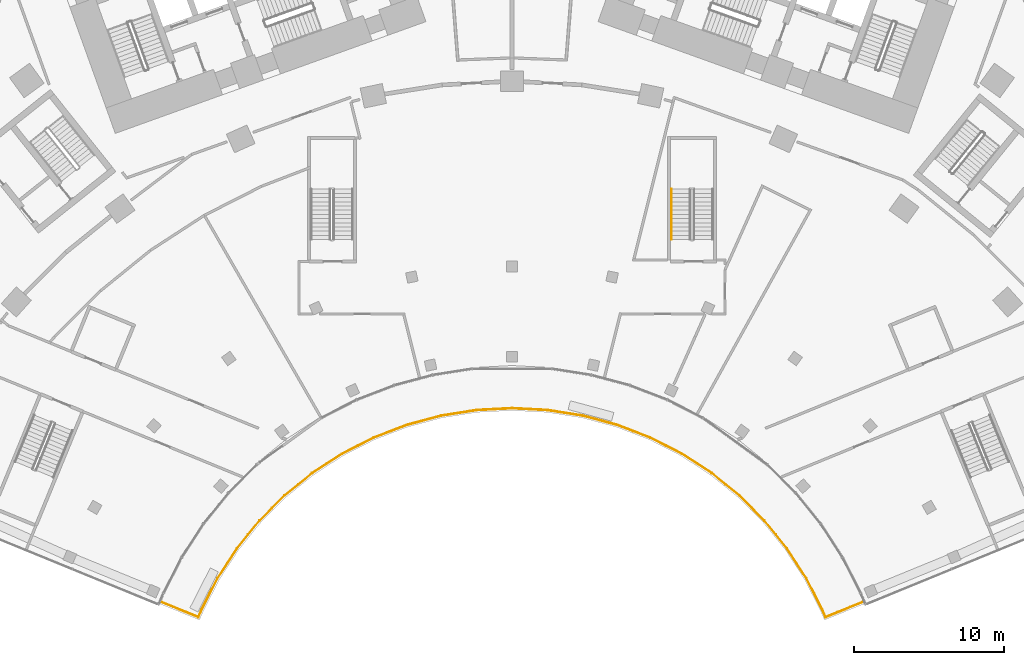
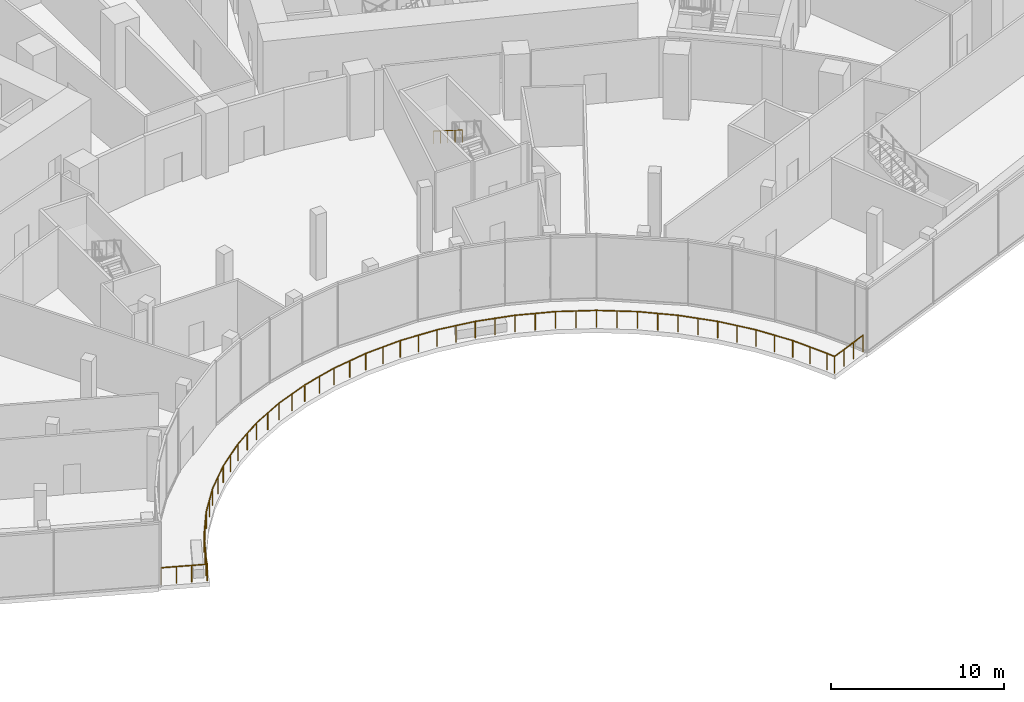
# One storey, part 35 of 39: 2 railings.
"""IFC4 building model written with IfcOpenShell, lengths in metres."""

from ifc_helpers import new_model, si_unit, direction, frame, origin, origin_2d, place, context, subcontext, project, spatial, circle, extrude, material, type_object, element, save


model = new_model("IFC4")

# Units and contexts
model_context = context("Model", 3, precision=1e-05, world=origin(), true_north=direction((0.0, 1.0)))
body_context = subcontext(model_context, "Body", "Model", "MODEL_VIEW")
ifc_project = project(units=[si_unit("LENGTHUNIT", "METRE"), si_unit("AREAUNIT", "SQUARE_METRE"), si_unit("VOLUMEUNIT", "CUBIC_METRE"), si_unit("PLANEANGLEUNIT", "RADIAN"), si_unit("MASSUNIT", "GRAM", prefix="KILO")], contexts=[model_context])

# Site, building, storey
site_placement = place(None, origin())
site = spatial("IfcSite", under=ifc_project, at=site_placement, CompositionType="ELEMENT")
building_placement = place(site_placement, origin())
building = spatial("IfcBuilding", under=site, at=building_placement, Name="Stone Belt Terrace Tower", CompositionType="ELEMENT")
storey_placement = place(building_placement, frame((0.0, 0.0, 16.199951171875)))
storey = spatial("IfcBuildingStorey", under=building, at=storey_placement, Name="L03", CompositionType="ELEMENT", Elevation=16.199951171875)

# Railings
ifc_material_1 = material(Name="Stainless steel handrail", Category="steel")
railing_type_1 = type_object("IfcRailingType", Name="Podium stair handrail", PredefinedType="HANDRAIL", material=ifc_material_1)
railing_1_placement = place(storey_placement, frame((10.625, 37.25, 2.47705078125)))
element("IfcRailing", 1, at=railing_1_placement, inside=storey, type_object=railing_type_1, Name="L03 PS6 stair handrail 2", PredefinedType="HANDRAIL", context=body_context, shape_type="SweptSolid", body=[
    extrude(circle(Radius=0.02392578125, at=origin_2d()), frame((0.0, 0.0, 0.8759765625), z_axis=(0.0, -0.845389635667, 0.534150132366), x_axis=(1.0, 0.0, 0.0)), (0.0, 0.0, 1.0), 3.974609375),
    extrude(circle(Radius=0.02099609375, at=origin_2d()), origin(), (0.0, 0.0, 1.0), 0.851806640625),
    extrude(circle(Radius=0.02099609375, at=origin_2d()), frame((0.0, -0.840087890625, 0.53076171875)), (0.0, 0.0, 1.0), 0.851806640625),
    extrude(circle(Radius=0.02099609375, at=origin_2d()), frame((0.0, -1.68017578125, 1.0615234375)), (0.0, 0.0, 1.0), 0.851806640625),
    extrude(circle(Radius=0.02099609375, at=origin_2d()), frame((0.0, -2.52001953125, 1.59228515625)), (0.0, 0.0, 1.0), 0.851806640625),
    extrude(circle(Radius=0.02099609375, at=origin_2d()), frame((0.0, -3.360107421875, 2.123046875)), (0.0, 0.0, 1.0), 0.851806640625),
])
ifc_material_2 = material(Name="Stainless steel AISI 304", Category="steel")
railing_type_2 = type_object("IfcRailingType", Name="Terrace guard 1200", PredefinedType="GUARDRAIL", material=ifc_material_2)
railing_2_placement = place(storey_placement, frame((-23.397216796875, 9.751708984375, 0.0)))
element("IfcRailing", 2, at=railing_2_placement, inside=storey, type_object=railing_type_2, Name="GUARD L03 1.1", PredefinedType="GUARDRAIL", context=body_context, shape_type="SweptSolid", body=[
    extrude(circle(Radius=0.02490234375, at=origin_2d()), frame((0.0, 0.0, 1.1748046875), z_axis=(0.925300457224, -0.379234839988, 0.0), x_axis=(0.379234839988, 0.925300457224, 0.0)), (0.0, 0.0, 1.0), 2.699951171875),
    extrude(circle(Radius=0.02490234375, at=origin_2d()), frame((2.498291015625, -1.02392578125, 1.1748046875), z_axis=(0.392973868747, 0.919549638944, 0.0), x_axis=(-0.919549638944, 0.392973868747, 0.0)), (0.0, 0.0, 1.0), 0.530029296875),
    extrude(circle(Radius=0.02490234375, at=origin_2d()), frame((2.70654296875, -0.53662109375, 1.1748046875), z_axis=(0.453922692677, 0.891041070363, 0.0), x_axis=(-0.891041070363, 0.453922692677, 0.0)), (0.0, 0.0, 1.0), 2.3681640625),
    extrude(circle(Radius=0.02490234375, at=origin_2d()), frame((3.781494140625, 1.573486328125, 1.1748046875), z_axis=(0.544655300333, 0.8386600049, 0.0), x_axis=(-0.8386600049, 0.544655300333, 0.0)), (0.0, 0.0, 1.0), 2.370849609375),
    extrude(circle(Radius=0.02490234375, at=origin_2d()), frame((5.07275390625, 3.561767578125, 1.1748046875), z_axis=(0.62935521046, 0.777117763963, 0.0), x_axis=(-0.777117763963, 0.62935521046, 0.0)), (0.0, 0.0, 1.0), 2.37109375),
    extrude(circle(Radius=0.02490234375, at=origin_2d()), frame((6.56494140625, 5.404296875, 1.1748046875), z_axis=(0.707106781187, 0.707106781187, 0.0), x_axis=(-0.707106781187, 0.707106781187, 0.0)), (0.0, 0.0, 1.0), 2.37060546875),
    extrude(circle(Radius=0.02490234375, at=origin_2d()), frame((8.2412109375, 7.08056640625, 1.1748046875), z_axis=(0.777117763963, 0.62935521046, 0.0), x_axis=(-0.62935521046, 0.777117763963, 0.0)), (0.0, 0.0, 1.0), 2.37109375),
    extrude(circle(Radius=0.02490234375, at=origin_2d()), frame((10.083740234375, 8.57275390625, 1.1748046875), z_axis=(0.8386600049, 0.544655300333, 0.0), x_axis=(-0.544655300333, 0.8386600049, 0.0)), (0.0, 0.0, 1.0), 2.370849609375),
    extrude(circle(Radius=0.02490234375, at=origin_2d()), frame((12.072021484375, 9.864013671875, 1.1748046875), z_axis=(0.891044997734, 0.453914983244, 0.0), x_axis=(-0.453914983244, 0.891044997734, 0.0)), (0.0, 0.0, 1.0), 2.370849609375),
    extrude(circle(Radius=0.02490234375, at=origin_2d()), frame((14.1845703125, 10.940185546875, 1.1748046875), z_axis=(0.933584262423, 0.358357956456, 0.0), x_axis=(-0.358357956456, 0.933584262423, 0.0)), (0.0, 0.0, 1.0), 2.370849609375),
    extrude(circle(Radius=0.02490234375, at=origin_2d()), frame((16.39794921875, 11.789794921875, 1.1748046875), z_axis=(0.965909436458, 0.258880205038, 0.0), x_axis=(-0.258880205038, 0.965909436458, 0.0)), (0.0, 0.0, 1.0), 2.370849609375),
    extrude(circle(Radius=0.02490234375, at=origin_2d()), frame((18.68798828125, 12.403564453125, 1.1748046875), z_axis=(0.987689377475, 0.156427918297, 0.0), x_axis=(-0.156427918297, 0.987689377475, 0.0)), (0.0, 0.0, 1.0), 2.370849609375),
    extrude(circle(Radius=0.02490234375, at=origin_2d()), frame((21.029541015625, 12.7744140625, 1.1748046875), z_axis=(0.998630883335, 0.05231021744, 0.0), x_axis=(-0.05231021744, 0.998630883335, 0.0)), (0.0, 0.0, 1.0), 2.370849609375),
    extrude(circle(Radius=0.02490234375, at=origin_2d()), frame((23.397216796875, 12.8984375, 1.1748046875), z_axis=(0.998630883335, -0.05231021744, 0.0), x_axis=(0.05231021744, 0.998630883335, 0.0)), (0.0, 0.0, 1.0), 2.370849609375),
    extrude(circle(Radius=0.02490234375, at=origin_2d()), frame((25.764892578125, 12.7744140625, 1.1748046875), z_axis=(0.987689377475, -0.156427918297, 0.0), x_axis=(0.156427918297, 0.987689377475, 0.0)), (0.0, 0.0, 1.0), 2.370849609375),
    extrude(circle(Radius=0.02490234375, at=origin_2d()), frame((28.1064453125, 12.403564453125, 1.1748046875), z_axis=(0.965909436458, -0.258880205038, 0.0), x_axis=(0.258880205038, 0.965909436458, 0.0)), (0.0, 0.0, 1.0), 2.370849609375),
    extrude(circle(Radius=0.02490234375, at=origin_2d()), frame((30.396484375, 11.789794921875, 1.1748046875), z_axis=(0.933584262423, -0.358357956456, 0.0), x_axis=(0.358357956456, 0.933584262423, 0.0)), (0.0, 0.0, 1.0), 2.370849609375),
    extrude(circle(Radius=0.02490234375, at=origin_2d()), frame((32.60986328125, 10.940185546875, 1.1748046875), z_axis=(0.891044997734, -0.453914983244, 0.0), x_axis=(0.453914983244, 0.891044997734, 0.0)), (0.0, 0.0, 1.0), 2.370849609375),
    extrude(circle(Radius=0.02490234375, at=origin_2d()), frame((34.722412109375, 9.864013671875, 1.1748046875), z_axis=(0.8386600049, -0.544655300333, 0.0), x_axis=(0.544655300333, 0.8386600049, 0.0)), (0.0, 0.0, 1.0), 2.370849609375),
    extrude(circle(Radius=0.02490234375, at=origin_2d()), frame((36.710693359375, 8.57275390625, 1.1748046875), z_axis=(0.777117763963, -0.62935521046, 0.0), x_axis=(0.62935521046, 0.777117763963, 0.0)), (0.0, 0.0, 1.0), 2.37109375),
    extrude(circle(Radius=0.02490234375, at=origin_2d()), frame((38.55322265625, 7.08056640625, 1.1748046875), z_axis=(0.707106781187, -0.707106781187, 0.0), x_axis=(0.707106781187, 0.707106781187, 0.0)), (0.0, 0.0, 1.0), 2.37060546875),
    extrude(circle(Radius=0.02490234375, at=origin_2d()), frame((40.2294921875, 5.404296875, 1.1748046875), z_axis=(0.62935521046, -0.777117763963, 0.0), x_axis=(0.777117763963, 0.62935521046, 0.0)), (0.0, 0.0, 1.0), 2.37109375),
    extrude(circle(Radius=0.02490234375, at=origin_2d()), frame((41.7216796875, 3.561767578125, 1.1748046875), z_axis=(0.544655300333, -0.8386600049, 0.0), x_axis=(0.8386600049, 0.544655300333, 0.0)), (0.0, 0.0, 1.0), 2.370849609375),
    extrude(circle(Radius=0.02490234375, at=origin_2d()), frame((43.012939453125, 1.573486328125, 1.1748046875), z_axis=(0.453922692677, -0.891041070363, 0.0), x_axis=(0.891041070363, 0.453922692677, 0.0)), (0.0, 0.0, 1.0), 2.3681640625),
    extrude(circle(Radius=0.02490234375, at=origin_2d()), frame((44.087890625, -0.53662109375, 1.1748046875), z_axis=(0.392973868747, -0.919549638944, 0.0), x_axis=(0.919549638944, 0.392973868747, 0.0)), (0.0, 0.0, 1.0), 0.530029296875),
    extrude(circle(Radius=0.02490234375, at=origin_2d()), frame((44.296142578125, -1.02392578125, 1.1748046875), z_axis=(0.925300457224, 0.379234839988, 0.0), x_axis=(-0.379234839988, 0.925300457224, 0.0)), (0.0, 0.0, 1.0), 2.699951171875),
    extrude(circle(Radius=0.02001953125, at=origin_2d()), origin(), (0.0, 0.0, 1.0), 1.14990234375),
    extrude(circle(Radius=0.02001953125, at=origin_2d()), frame((0.832763671875, -0.34130859375, 0.0)), (0.0, 0.0, 1.0), 1.14990234375),
    extrude(circle(Radius=0.02001953125, at=origin_2d()), frame((1.66552734375, -0.6826171875, 0.0)), (0.0, 0.0, 1.0), 1.14990234375),
    extrude(circle(Radius=0.02001953125, at=origin_2d()), frame((2.498291015625, -1.02392578125, 0.0)), (0.0, 0.0, 1.0), 1.14990234375),
    extrude(circle(Radius=0.02001953125, at=origin_2d()), frame((2.70654296875, -0.53662109375, 0.0)), (0.0, 0.0, 1.0), 1.14990234375),
    extrude(circle(Radius=0.02001953125, at=origin_2d()), frame((3.244140625, 0.5185546875, 0.0)), (0.0, 0.0, 1.0), 1.14990234375),
    extrude(circle(Radius=0.02001953125, at=origin_2d()), frame((3.781494140625, 1.573486328125, 0.0)), (0.0, 0.0, 1.0), 1.14990234375),
    extrude(circle(Radius=0.02001953125, at=origin_2d()), frame((4.42724609375, 2.567626953125, 0.0)), (0.0, 0.0, 1.0), 1.14990234375),
    extrude(circle(Radius=0.02001953125, at=origin_2d()), frame((5.07275390625, 3.561767578125, 0.0)), (0.0, 0.0, 1.0), 1.14990234375),
    extrude(circle(Radius=0.02001953125, at=origin_2d()), frame((5.81884765625, 4.48291015625, 0.0)), (0.0, 0.0, 1.0), 1.14990234375),
    extrude(circle(Radius=0.02001953125, at=origin_2d()), frame((6.56494140625, 5.404296875, 0.0)), (0.0, 0.0, 1.0), 1.14990234375),
    extrude(circle(Radius=0.02001953125, at=origin_2d()), frame((7.403076171875, 6.242431640625, 0.0)), (0.0, 0.0, 1.0), 1.14990234375),
    extrude(circle(Radius=0.02001953125, at=origin_2d()), frame((8.2412109375, 7.08056640625, 0.0)), (0.0, 0.0, 1.0), 1.14990234375),
    extrude(circle(Radius=0.02001953125, at=origin_2d()), frame((9.16259765625, 7.82666015625, 0.0)), (0.0, 0.0, 1.0), 1.14990234375),
    extrude(circle(Radius=0.02001953125, at=origin_2d()), frame((10.083740234375, 8.57275390625, 0.0)), (0.0, 0.0, 1.0), 1.14990234375),
    extrude(circle(Radius=0.02001953125, at=origin_2d()), frame((11.077880859375, 9.21826171875, 0.0)), (0.0, 0.0, 1.0), 1.14990234375),
    extrude(circle(Radius=0.02001953125, at=origin_2d()), frame((12.072021484375, 9.864013671875, 0.0)), (0.0, 0.0, 1.0), 1.14990234375),
    extrude(circle(Radius=0.02001953125, at=origin_2d()), frame((13.12841796875, 10.402099609375, 0.0)), (0.0, 0.0, 1.0), 1.14990234375),
    extrude(circle(Radius=0.02001953125, at=origin_2d()), frame((14.1845703125, 10.940185546875, 0.0)), (0.0, 0.0, 1.0), 1.14990234375),
    extrude(circle(Radius=0.02001953125, at=origin_2d()), frame((15.291259765625, 11.364990234375, 0.0)), (0.0, 0.0, 1.0), 1.14990234375),
    extrude(circle(Radius=0.02001953125, at=origin_2d()), frame((16.39794921875, 11.789794921875, 0.0)), (0.0, 0.0, 1.0), 1.14990234375),
    extrude(circle(Radius=0.02001953125, at=origin_2d()), frame((17.54296875, 12.0966796875, 0.0)), (0.0, 0.0, 1.0), 1.14990234375),
    extrude(circle(Radius=0.02001953125, at=origin_2d()), frame((18.68798828125, 12.403564453125, 0.0)), (0.0, 0.0, 1.0), 1.14990234375),
    extrude(circle(Radius=0.02001953125, at=origin_2d()), frame((19.85888671875, 12.5888671875, 0.0)), (0.0, 0.0, 1.0), 1.14990234375),
    extrude(circle(Radius=0.02001953125, at=origin_2d()), frame((21.029541015625, 12.7744140625, 0.0)), (0.0, 0.0, 1.0), 1.14990234375),
    extrude(circle(Radius=0.02001953125, at=origin_2d()), frame((22.21337890625, 12.83642578125, 0.0)), (0.0, 0.0, 1.0), 1.14990234375),
    extrude(circle(Radius=0.02001953125, at=origin_2d()), frame((23.397216796875, 12.8984375, 0.0)), (0.0, 0.0, 1.0), 1.14990234375),
    extrude(circle(Radius=0.02001953125, at=origin_2d()), frame((24.5810546875, 12.83642578125, 0.0)), (0.0, 0.0, 1.0), 1.14990234375),
    extrude(circle(Radius=0.02001953125, at=origin_2d()), frame((25.764892578125, 12.7744140625, 0.0)), (0.0, 0.0, 1.0), 1.14990234375),
    extrude(circle(Radius=0.02001953125, at=origin_2d()), frame((26.935546875, 12.5888671875, 0.0)), (0.0, 0.0, 1.0), 1.14990234375),
    extrude(circle(Radius=0.02001953125, at=origin_2d()), frame((28.1064453125, 12.403564453125, 0.0)), (0.0, 0.0, 1.0), 1.14990234375),
    extrude(circle(Radius=0.02001953125, at=origin_2d()), frame((29.25146484375, 12.0966796875, 0.0)), (0.0, 0.0, 1.0), 1.14990234375),
    extrude(circle(Radius=0.02001953125, at=origin_2d()), frame((30.396484375, 11.789794921875, 0.0)), (0.0, 0.0, 1.0), 1.14990234375),
    extrude(circle(Radius=0.02001953125, at=origin_2d()), frame((31.503173828125, 11.364990234375, 0.0)), (0.0, 0.0, 1.0), 1.14990234375),
    extrude(circle(Radius=0.02001953125, at=origin_2d()), frame((32.60986328125, 10.940185546875, 0.0)), (0.0, 0.0, 1.0), 1.14990234375),
    extrude(circle(Radius=0.02001953125, at=origin_2d()), frame((33.666015625, 10.402099609375, 0.0)), (0.0, 0.0, 1.0), 1.14990234375),
    extrude(circle(Radius=0.02001953125, at=origin_2d()), frame((34.722412109375, 9.864013671875, 0.0)), (0.0, 0.0, 1.0), 1.14990234375),
    extrude(circle(Radius=0.02001953125, at=origin_2d()), frame((35.716552734375, 9.21826171875, 0.0)), (0.0, 0.0, 1.0), 1.14990234375),
    extrude(circle(Radius=0.02001953125, at=origin_2d()), frame((36.710693359375, 8.57275390625, 0.0)), (0.0, 0.0, 1.0), 1.14990234375),
    extrude(circle(Radius=0.02001953125, at=origin_2d()), frame((37.6318359375, 7.82666015625, 0.0)), (0.0, 0.0, 1.0), 1.14990234375),
    extrude(circle(Radius=0.02001953125, at=origin_2d()), frame((38.55322265625, 7.08056640625, 0.0)), (0.0, 0.0, 1.0), 1.14990234375),
    extrude(circle(Radius=0.02001953125, at=origin_2d()), frame((39.391357421875, 6.242431640625, 0.0)), (0.0, 0.0, 1.0), 1.14990234375),
    extrude(circle(Radius=0.02001953125, at=origin_2d()), frame((40.2294921875, 5.404296875, 0.0)), (0.0, 0.0, 1.0), 1.14990234375),
    extrude(circle(Radius=0.02001953125, at=origin_2d()), frame((40.9755859375, 4.48291015625, 0.0)), (0.0, 0.0, 1.0), 1.14990234375),
    extrude(circle(Radius=0.02001953125, at=origin_2d()), frame((41.7216796875, 3.561767578125, 0.0)), (0.0, 0.0, 1.0), 1.14990234375),
    extrude(circle(Radius=0.02001953125, at=origin_2d()), frame((42.3671875, 2.567626953125, 0.0)), (0.0, 0.0, 1.0), 1.14990234375),
    extrude(circle(Radius=0.02001953125, at=origin_2d()), frame((43.012939453125, 1.573486328125, 0.0)), (0.0, 0.0, 1.0), 1.14990234375),
    extrude(circle(Radius=0.02001953125, at=origin_2d()), frame((43.55029296875, 0.5185546875, 0.0)), (0.0, 0.0, 1.0), 1.14990234375),
    extrude(circle(Radius=0.02001953125, at=origin_2d()), frame((44.087890625, -0.53662109375, 0.0)), (0.0, 0.0, 1.0), 1.14990234375),
    extrude(circle(Radius=0.02001953125, at=origin_2d()), frame((44.296142578125, -1.02392578125, 0.0)), (0.0, 0.0, 1.0), 1.14990234375),
    extrude(circle(Radius=0.02001953125, at=origin_2d()), frame((45.12890625, -0.6826171875, 0.0)), (0.0, 0.0, 1.0), 1.14990234375),
    extrude(circle(Radius=0.02001953125, at=origin_2d()), frame((45.961669921875, -0.34130859375, 0.0)), (0.0, 0.0, 1.0), 1.14990234375),
    extrude(circle(Radius=0.02001953125, at=origin_2d()), frame((46.79443359375, 0.0, 0.0)), (0.0, 0.0, 1.0), 1.14990234375),
])

save(model, "model.ifc")
